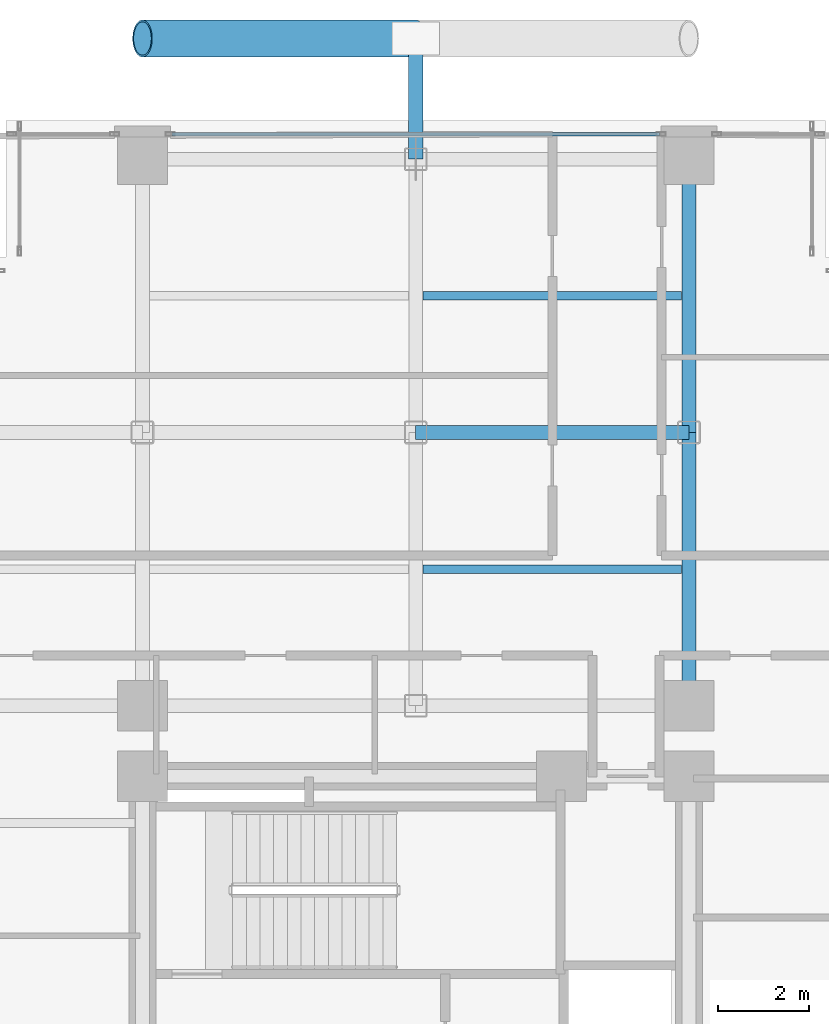
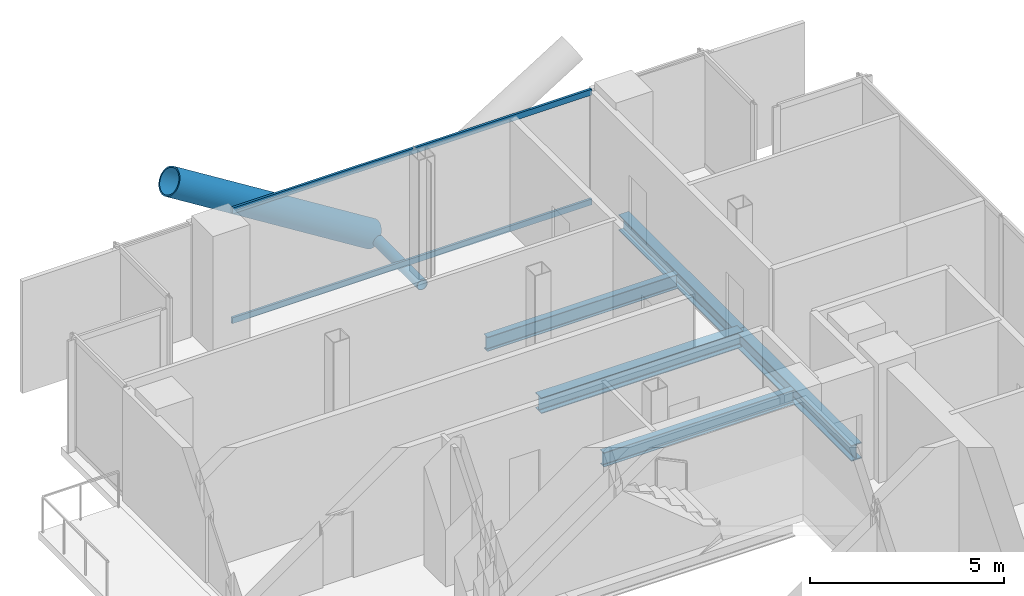
# One storey, part 16 of 28: 5 beams, 4 members, 1 element without a shape of its own.
"""IFC4 building model written with IfcOpenShell, lengths in metres."""

from ifc_helpers import new_model, si_unit, direction, frame, origin, origin_2d, place, context, subcontext, project, spatial, hollow_rectangle, hollow_circle, i_section, extrude, material, layer, layer_set, material_profile, profile_set, type_object, element, aggregate, save


model = new_model("IFC4")

# Units and contexts
model_context = context("Model", 3, precision=1e-05, world=origin(), true_north=direction((0.0, 1.0)))
body_context = subcontext(model_context, "Body", "Model", "MODEL_VIEW")
ifc_project = project(units=[si_unit("LENGTHUNIT", "METRE"), si_unit("AREAUNIT", "SQUARE_METRE"), si_unit("VOLUMEUNIT", "CUBIC_METRE"), si_unit("PLANEANGLEUNIT", "RADIAN"), si_unit("MASSUNIT", "GRAM", prefix="KILO"), si_unit("THERMODYNAMICTEMPERATUREUNIT", "KELVIN"), si_unit("POWERUNIT", "WATT")], contexts=[model_context])

# Site, building, storey
site_placement = place(None, origin())
site = spatial("IfcSite", under=ifc_project, at=site_placement, CompositionType="ELEMENT")
building_placement = place(site_placement, origin())
building = spatial("IfcBuilding", under=site, at=building_placement, Name="Svarakhadi Broadcast Tower", CompositionType="ELEMENT")
storey_placement = place(building_placement, frame((0.0, 0.0, 153.14990234375)))
storey = spatial("IfcBuildingStorey", under=building, at=storey_placement, Name="L37", CompositionType="ELEMENT", Elevation=153.14990234375)

# Beams
ifc_material_1 = material(Name="Steel S355J2 (IS 2062 E350C)", Category="steel")
ifc_material_profile_1 = material_profile(ifc_material_1, i_section(OverallWidth=0.18994140625, OverallDepth=0.449951171875, WebThickness=0.009521484375, FlangeThickness=0.0146484375, FilletRadius=0.02099609375, at=origin_2d()), Name="NPB 450x190x78")
ifc_profile_set_1 = profile_set([ifc_material_profile_1], Name="Steel S355J2 (IS 2062 E350C)")
beam_type_1 = type_object("IfcBeamType", Name="Beam_NPB450", PredefinedType="BEAM", material=ifc_profile_set_1)
for number, where, z_axis, x_axis, name in (
    (1, (12.159912109375, 32.14990234375, -0.449951171875), (1.0, 0.0, 0.0), (0.0, 1.0, 0.0), "L37 Secondary Composite Beam SB014"),
    (2, (12.159912109375, 38.14990234375, -0.449951171875), (1.0, 0.0, 0.0), (0.0, 1.0, 0.0), "L37 Secondary Composite Beam SB015"),
):
    element("IfcBeam", number, at=place(storey_placement, frame(where, z_axis=z_axis, x_axis=x_axis)), inside=storey, type_object=beam_type_1, Name=name, PredefinedType="BEAM", context=body_context, shape_type="SweptSolid", body=[
        extrude(i_section(OverallWidth=0.18994140625, OverallDepth=0.449951171875, WebThickness=0.009521484375, FlangeThickness=0.0146484375, FilletRadius=0.02099609375, at=origin_2d()), origin(), (0.0, 0.0, 1.0), 5.68017578125),
    ])

# Curtain wall, members
ifc_material_2 = material(Name="Anodised Bronze Aluminium AA 6063-T6", Category="aluminium")
ifc_layer = layer(ifc_material_2, 0.199951171875)
ifc_layer_set = layer_set([ifc_layer], Name="Anodised Bronze Aluminium AA 6063-T6")
curtain_wall_type = type_object("IfcCurtainWallType", Name="CW_Sys_03", PredefinedType="NOTDEFINED", material=ifc_layer_set)
curtain_wall_placement = place(storey_placement, origin())
curtain_wall = element("IfcCurtainWall", 3, at=curtain_wall_placement, inside=storey, type_object=curtain_wall_type, Name="L37 Unitised Facade Curtain Wall 06 Bay 2", PredefinedType="NOTDEFINED")
ifc_material_profile_2 = material_profile(ifc_material_2, hollow_rectangle(XDim=0.070068359375, YDim=0.18505859375, WallThickness=0.0048828125, at=origin_2d()), Name="ALU TRANSOM 185x70x5")
ifc_profile_set_2 = profile_set([ifc_material_profile_2], Name="Anodised Bronze Aluminium AA 6063-T6")
member_type_1 = type_object("IfcMemberType", Name="CW_Sys_03_Trn", PredefinedType="USERDEFINED", material=ifc_profile_set_2)
member_1_placement = place(storey_placement, frame((6.64501953125, 41.699951171875, 0.03515625), z_axis=(1.0, 0.0, 0.0), x_axis=(0.0, 1.0, 0.0)))
member_1 = element("IfcMember", 4, at=member_1_placement, type_object=member_type_1, Name="CW-03 transom 1.1", ObjectType="TRANSOM", PredefinedType="USERDEFINED", context=body_context, shape_type="SweptSolid", body=[
    extrude(hollow_rectangle(XDim=0.070068359375, YDim=0.18505859375, WallThickness=0.0048828125, at=origin_2d()), origin(), (0.0, 0.0, 1.0), 10.7099609375),
])
member_2_placement = place(storey_placement, frame((6.64501953125, 41.699951171875, 3.489990234375), z_axis=(1.0, 0.0, 0.0), x_axis=(0.0, 1.0, 0.0)))
member_2 = element("IfcMember", 5, at=member_2_placement, type_object=member_type_1, Name="CW-03 transom 1.2", ObjectType="TRANSOM", PredefinedType="USERDEFINED", context=body_context, shape_type="SweptSolid", body=[
    extrude(hollow_rectangle(XDim=0.070068359375, YDim=0.18505859375, WallThickness=0.0048828125, at=origin_2d()), origin(), (0.0, 0.0, 1.0), 10.7099609375),
])
aggregate(curtain_wall, [member_1, member_2])

# Members
ifc_material_3 = material(Name="Steel S460ML (IS 2062 E450BR)", Category="steel")
ifc_material_profile_3 = material_profile(ifc_material_3, hollow_circle(Radius=0.406494140625, WallThickness=0.0400390625, at=origin_2d()), Name="CHS 813x40")
ifc_profile_set_3 = profile_set([ifc_material_profile_3], Name="Steel S460ML (IS 2062 E450BR)")
member_type_2 = type_object("IfcMemberType", Name="Exo_Brace_CHS813", PredefinedType="BRACE", material=ifc_profile_set_3)
member_3_placement = place(storey_placement, frame((12.0, 43.800048828125, -0.386962890625), z_axis=(-0.847998304005, 0.0, 0.529998940003), x_axis=(0.0, -1.0, 0.0)))
element("IfcMember", 6, at=member_3_placement, inside=storey, type_object=member_type_2, Name="L37 Exposed Bronze Exoskeleton Diagonal N10", PredefinedType="BRACE", context=body_context, shape_type="SweptSolid", body=[
    extrude(hollow_circle(Radius=0.406494140625, WallThickness=0.0400390625, at=origin_2d()), origin(), (0.0, 0.0, 1.0), 7.075439453125),
])
ifc_material_profile_4 = material_profile(ifc_material_3, hollow_circle(Radius=0.161865234375, WallThickness=0.01611328125, at=origin_2d()), Name="CHS 323.9x16")
ifc_profile_set_4 = profile_set([ifc_material_profile_4], Name="Steel S460ML (IS 2062 E450BR)")
member_type_3 = type_object("IfcMemberType", Name="Exo_Radial_Strut_Z2", PredefinedType="STRUT", material=ifc_profile_set_4)
member_4_placement = place(storey_placement, frame((12.0, 43.800048828125, -0.386962890625), z_axis=(0.0, -1.0, 0.0), x_axis=(1.0, 0.0, 0.0)))
element("IfcMember", 7, at=member_4_placement, inside=storey, type_object=member_type_3, Name="L37 Exoskeleton Radial Tie Strut N06", PredefinedType="STRUT", context=body_context, shape_type="SweptSolid", body=[
    extrude(hollow_circle(Radius=0.161865234375, WallThickness=0.01611328125, at=origin_2d()), origin(), (0.0, 0.0, 1.0), 2.650146484375),
])

# Beams
ifc_material_profile_5 = material_profile(ifc_material_1, i_section(OverallWidth=0.300048828125, OverallDepth=0.5, WebThickness=0.014404296875, FlangeThickness=0.028076171875, FilletRadius=0.027099609375, at=origin_2d()), Name="WPB 500x300x187")
ifc_profile_set_5 = profile_set([ifc_material_profile_5], Name="Steel S355J2 (IS 2062 E350C)")
beam_type_2 = type_object("IfcBeamType", Name="Girder_WPB500", PredefinedType="USERDEFINED", material=ifc_profile_set_5)
for number, where, z_axis, x_axis, name in (
    (8, (12.0, 35.14990234375, -0.474853515625), (1.0, 0.0, 0.0), (0.0, 1.0, 0.0), "L37 Primary E-W Girder G037"),
    (9, (18.0, 29.14990234375, -0.474853515625), (0.0, 1.0, 0.0), (-1.0, 0.0, 0.0), "L37 Primary N-S Girder G060"),
    (10, (18.0, 35.14990234375, -0.474853515625), (0.0, 1.0, 0.0), (-1.0, 0.0, 0.0), "L37 Primary N-S Girder G061"),
):
    element("IfcBeam", number, at=place(storey_placement, frame(where, z_axis=z_axis, x_axis=x_axis)), inside=storey, type_object=beam_type_2, Name=name, ObjectType="GIRDER", PredefinedType="USERDEFINED", context=body_context, shape_type="SweptSolid", body=[
        extrude(i_section(OverallWidth=0.300048828125, OverallDepth=0.5, WebThickness=0.014404296875, FlangeThickness=0.028076171875, FilletRadius=0.027099609375, at=origin_2d()), origin(), (0.0, 0.0, 1.0), 6.0),
    ])

save(model, "model.ifc")
